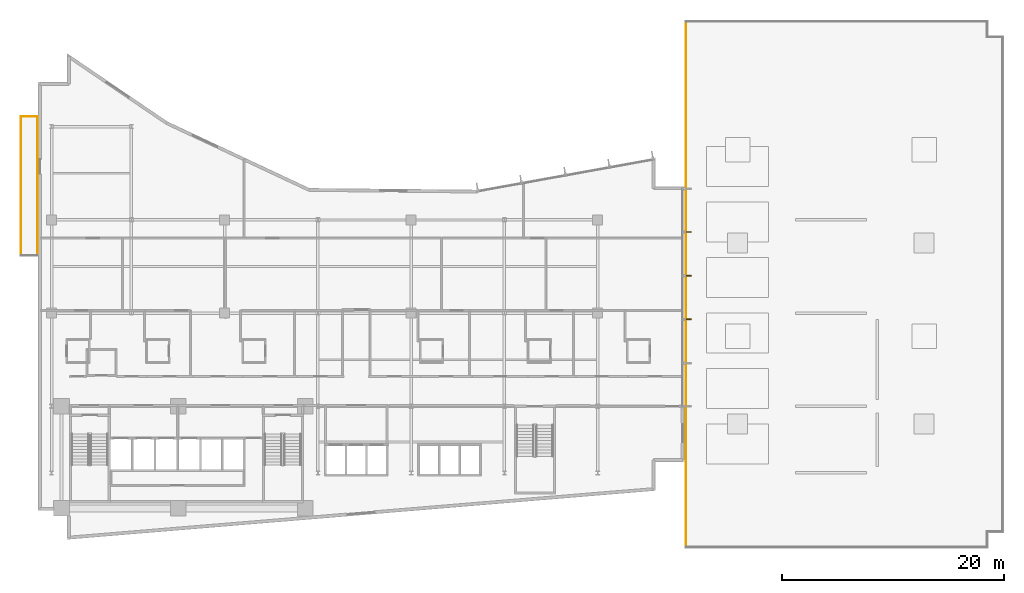
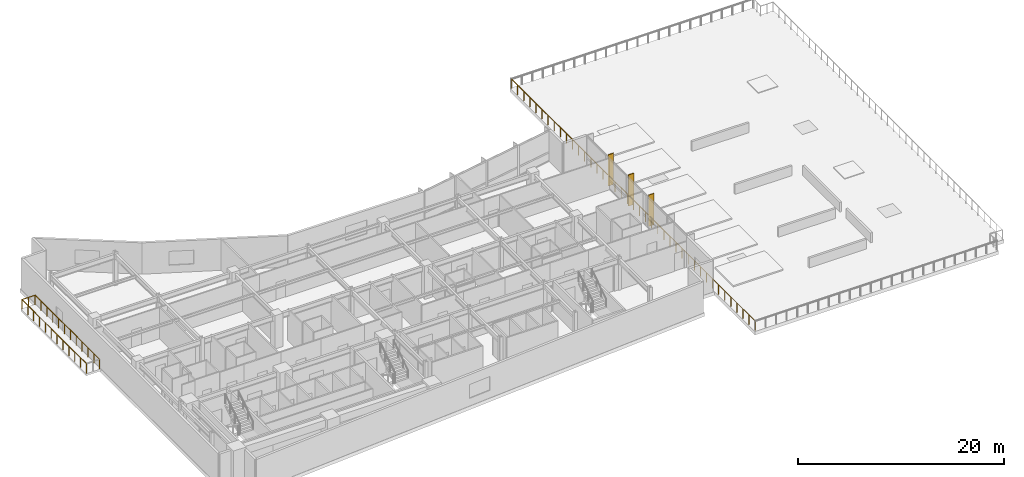
# One storey, part 18 of 20: 4 railings, 3 shading devices.
"""IFC4 building model written with IfcOpenShell, lengths in metres."""

from ifc_helpers import new_model, si_unit, direction, frame, origin, origin_2d, place, context, subcontext, project, spatial, rectangle, circle, extrude, material, layer, layer_set, type_object, element, save


model = new_model("IFC4")

# Units and contexts
model_context = context("Model", 3, precision=1e-05, world=origin(), true_north=direction((0.0, 1.0)))
body_context = subcontext(model_context, "Body", "Model", "MODEL_VIEW")
ifc_project = project(units=[si_unit("LENGTHUNIT", "METRE"), si_unit("AREAUNIT", "SQUARE_METRE"), si_unit("VOLUMEUNIT", "CUBIC_METRE"), si_unit("PLANEANGLEUNIT", "RADIAN"), si_unit("MASSUNIT", "GRAM", prefix="KILO")], contexts=[model_context])

# Site, building, storey
site_placement = place(None, origin())
site = spatial("IfcSite", under=ifc_project, at=site_placement, CompositionType="ELEMENT")
building_placement = place(site_placement, origin())
building = spatial("IfcBuilding", under=site, at=building_placement, Name="Varnakote Quay Hospital", CompositionType="ELEMENT")
storey_placement = place(building_placement, frame((0.0, 0.0, 22.5)))
storey = spatial("IfcBuildingStorey", under=building, at=storey_placement, Name="L05", CompositionType="ELEMENT", Elevation=22.5)

# Railings
ifc_material_1 = material(Name="Anodised aluminium 6063-T6 Bronze", Category="aluminium")
railing_type = type_object("IfcRailingType", Name="RLG-EXT-GUARD-1150", PredefinedType="GUARDRAIL", material=ifc_material_1)
railing_1_placement = place(storey_placement, frame((-1.56005859375, 25.580078125, 0.0)))
element("IfcRailing", 1, at=railing_1_placement, inside=storey, type_object=railing_type, Name="L05 Zigzag Prow Healing Terrace Safety Guard", PredefinedType="GUARDRAIL", context=body_context, shape_type="SweptSolid", body=[
    extrude(circle(Radius=0.02392578125, at=origin_2d()), frame((0.0, 0.0, 1.1259765625), z_axis=(0.0, 1.0, 0.0), x_axis=(-1.0, 0.0, 0.0)), (0.0, 0.0, 1.0), 12.5400390625),
    extrude(circle(Radius=0.02099609375, at=origin_2d()), origin(), (0.0, 0.0, 1.0), 1.101806640625),
    extrude(circle(Radius=0.02099609375, at=origin_2d()), frame((0.0, 1.139892578125, 0.0)), (0.0, 0.0, 1.0), 1.101806640625),
    extrude(circle(Radius=0.02099609375, at=origin_2d()), frame((0.0, 2.280029296875, 0.0)), (0.0, 0.0, 1.0), 1.101806640625),
    extrude(circle(Radius=0.02099609375, at=origin_2d()), frame((0.0, 3.419921875, 0.0)), (0.0, 0.0, 1.0), 1.101806640625),
    extrude(circle(Radius=0.02099609375, at=origin_2d()), frame((0.0, 4.56005859375, 0.0)), (0.0, 0.0, 1.0), 1.101806640625),
    extrude(circle(Radius=0.02099609375, at=origin_2d()), frame((0.0, 5.699951171875, 0.0)), (0.0, 0.0, 1.0), 1.101806640625),
    extrude(circle(Radius=0.02099609375, at=origin_2d()), frame((0.0, 6.840087890625, 0.0)), (0.0, 0.0, 1.0), 1.101806640625),
    extrude(circle(Radius=0.02099609375, at=origin_2d()), frame((0.0, 7.97998046875, 0.0)), (0.0, 0.0, 1.0), 1.101806640625),
    extrude(circle(Radius=0.02099609375, at=origin_2d()), frame((0.0, 9.1201171875, 0.0)), (0.0, 0.0, 1.0), 1.101806640625),
    extrude(circle(Radius=0.02099609375, at=origin_2d()), frame((0.0, 10.260009765625, 0.0)), (0.0, 0.0, 1.0), 1.101806640625),
    extrude(circle(Radius=0.02099609375, at=origin_2d()), frame((0.0, 11.400146484375, 0.0)), (0.0, 0.0, 1.0), 1.101806640625),
    extrude(circle(Radius=0.02099609375, at=origin_2d()), frame((0.0, 12.5400390625, 0.0)), (0.0, 0.0, 1.0), 1.101806640625),
])
railing_2_placement = place(storey_placement, frame((-1.56005859375, 38.1201171875, 0.0)))
element("IfcRailing", 2, at=railing_2_placement, inside=storey, type_object=railing_type, Name="L05 Zigzag Prow Healing Terrace Safety Guard", PredefinedType="GUARDRAIL", context=body_context, shape_type="SweptSolid", body=[
    extrude(circle(Radius=0.02392578125, at=origin_2d()), frame((0.0, 0.0, 1.1259765625), z_axis=(1.0, 0.0, 0.0), x_axis=(0.0, 1.0, 0.0)), (0.0, 0.0, 1.0), 1.484130859375),
    extrude(circle(Radius=0.02099609375, at=origin_2d()), origin(), (0.0, 0.0, 1.0), 1.101806640625),
    extrude(circle(Radius=0.02099609375, at=origin_2d()), frame((0.7421875, 0.0, 0.0)), (0.0, 0.0, 1.0), 1.101806640625),
    extrude(circle(Radius=0.02099609375, at=origin_2d()), frame((1.484130859375, 0.0, 0.0)), (0.0, 0.0, 1.0), 1.101806640625),
])
railing_3_placement = place(storey_placement, frame((-0.075927734375, 38.1201171875, 0.0)))
element("IfcRailing", 3, at=railing_3_placement, inside=storey, type_object=railing_type, Name="L05 Zigzag Prow Healing Terrace Safety Guard", PredefinedType="GUARDRAIL", context=body_context, shape_type="SweptSolid", body=[
    extrude(circle(Radius=0.02392578125, at=origin_2d()), frame((0.0, 0.0, 1.1259765625), z_axis=(0.0, -1.0, 0.0), x_axis=(1.0, 0.0, 0.0)), (0.0, 0.0, 1.0), 12.5400390625),
    extrude(circle(Radius=0.02099609375, at=origin_2d()), origin(), (0.0, 0.0, 1.0), 1.101806640625),
    extrude(circle(Radius=0.02099609375, at=origin_2d()), frame((0.0, -1.139892578125, 0.0)), (0.0, 0.0, 1.0), 1.101806640625),
    extrude(circle(Radius=0.02099609375, at=origin_2d()), frame((0.0, -2.280029296875, 0.0)), (0.0, 0.0, 1.0), 1.101806640625),
    extrude(circle(Radius=0.02099609375, at=origin_2d()), frame((0.0, -3.419921875, 0.0)), (0.0, 0.0, 1.0), 1.101806640625),
    extrude(circle(Radius=0.02099609375, at=origin_2d()), frame((0.0, -4.56005859375, 0.0)), (0.0, 0.0, 1.0), 1.101806640625),
    extrude(circle(Radius=0.02099609375, at=origin_2d()), frame((0.0, -5.699951171875, 0.0)), (0.0, 0.0, 1.0), 1.101806640625),
    extrude(circle(Radius=0.02099609375, at=origin_2d()), frame((0.0, -6.840087890625, 0.0)), (0.0, 0.0, 1.0), 1.101806640625),
    extrude(circle(Radius=0.02099609375, at=origin_2d()), frame((0.0, -7.97998046875, 0.0)), (0.0, 0.0, 1.0), 1.101806640625),
    extrude(circle(Radius=0.02099609375, at=origin_2d()), frame((0.0, -9.1201171875, 0.0)), (0.0, 0.0, 1.0), 1.101806640625),
    extrude(circle(Radius=0.02099609375, at=origin_2d()), frame((0.0, -10.260009765625, 0.0)), (0.0, 0.0, 1.0), 1.101806640625),
    extrude(circle(Radius=0.02099609375, at=origin_2d()), frame((0.0, -11.400146484375, 0.0)), (0.0, 0.0, 1.0), 1.101806640625),
    extrude(circle(Radius=0.02099609375, at=origin_2d()), frame((0.0, -12.5400390625, 0.0)), (0.0, 0.0, 1.0), 1.101806640625),
])
railing_4_placement = place(storey_placement, frame((58.340087890625, -0.679931640625, 0.0)))
element("IfcRailing", 4, at=railing_4_placement, inside=storey, type_object=railing_type, Name="L05 East Podium Setback Roof Perimeter Safety Guard", PredefinedType="GUARDRAIL", context=body_context, shape_type="SweptSolid", body=[
    extrude(circle(Radius=0.02392578125, at=origin_2d()), frame((0.0, 0.0, 1.1259765625), z_axis=(0.0, 1.0, 0.0), x_axis=(-1.0, 0.0, 0.0)), (0.0, 0.0, 1.0), 47.35986328125),
    extrude(circle(Radius=0.02099609375, at=origin_2d()), origin(), (0.0, 0.0, 1.0), 1.101806640625),
    extrude(circle(Radius=0.02099609375, at=origin_2d()), frame((0.0, 1.18408203125, 0.0)), (0.0, 0.0, 1.0), 1.101806640625),
    extrude(circle(Radius=0.02099609375, at=origin_2d()), frame((0.0, 2.367919921875, 0.0)), (0.0, 0.0, 1.0), 1.101806640625),
    extrude(circle(Radius=0.02099609375, at=origin_2d()), frame((0.0, 3.552001953125, 0.0)), (0.0, 0.0, 1.0), 1.101806640625),
    extrude(circle(Radius=0.02099609375, at=origin_2d()), frame((0.0, 4.736083984375, 0.0)), (0.0, 0.0, 1.0), 1.101806640625),
    extrude(circle(Radius=0.02099609375, at=origin_2d()), frame((0.0, 5.919921875, 0.0)), (0.0, 0.0, 1.0), 1.101806640625),
    extrude(circle(Radius=0.02099609375, at=origin_2d()), frame((0.0, 7.10400390625, 0.0)), (0.0, 0.0, 1.0), 1.101806640625),
    extrude(circle(Radius=0.02099609375, at=origin_2d()), frame((0.0, 8.2880859375, 0.0)), (0.0, 0.0, 1.0), 1.101806640625),
    extrude(circle(Radius=0.02099609375, at=origin_2d()), frame((0.0, 9.471923828125, 0.0)), (0.0, 0.0, 1.0), 1.101806640625),
    extrude(circle(Radius=0.02099609375, at=origin_2d()), frame((0.0, 10.656005859375, 0.0)), (0.0, 0.0, 1.0), 1.101806640625),
    extrude(circle(Radius=0.02099609375, at=origin_2d()), frame((0.0, 11.83984375, 0.0)), (0.0, 0.0, 1.0), 1.101806640625),
    extrude(circle(Radius=0.02099609375, at=origin_2d()), frame((0.0, 13.02392578125, 0.0)), (0.0, 0.0, 1.0), 1.101806640625),
    extrude(circle(Radius=0.02099609375, at=origin_2d()), frame((0.0, 14.2080078125, 0.0)), (0.0, 0.0, 1.0), 1.101806640625),
    extrude(circle(Radius=0.02099609375, at=origin_2d()), frame((0.0, 15.391845703125, 0.0)), (0.0, 0.0, 1.0), 1.101806640625),
    extrude(circle(Radius=0.02099609375, at=origin_2d()), frame((0.0, 16.575927734375, 0.0)), (0.0, 0.0, 1.0), 1.101806640625),
    extrude(circle(Radius=0.02099609375, at=origin_2d()), frame((0.0, 17.760009765625, 0.0)), (0.0, 0.0, 1.0), 1.101806640625),
    extrude(circle(Radius=0.02099609375, at=origin_2d()), frame((0.0, 18.94384765625, 0.0)), (0.0, 0.0, 1.0), 1.101806640625),
    extrude(circle(Radius=0.02099609375, at=origin_2d()), frame((0.0, 20.1279296875, 0.0)), (0.0, 0.0, 1.0), 1.101806640625),
    extrude(circle(Radius=0.02099609375, at=origin_2d()), frame((0.0, 21.31201171875, 0.0)), (0.0, 0.0, 1.0), 1.101806640625),
    extrude(circle(Radius=0.02099609375, at=origin_2d()), frame((0.0, 22.495849609375, 0.0)), (0.0, 0.0, 1.0), 1.101806640625),
    extrude(circle(Radius=0.02099609375, at=origin_2d()), frame((0.0, 23.679931640625, 0.0)), (0.0, 0.0, 1.0), 1.101806640625),
    extrude(circle(Radius=0.02099609375, at=origin_2d()), frame((0.0, 24.864013671875, 0.0)), (0.0, 0.0, 1.0), 1.101806640625),
    extrude(circle(Radius=0.02099609375, at=origin_2d()), frame((0.0, 26.0478515625, 0.0)), (0.0, 0.0, 1.0), 1.101806640625),
    extrude(circle(Radius=0.02099609375, at=origin_2d()), frame((0.0, 27.23193359375, 0.0)), (0.0, 0.0, 1.0), 1.101806640625),
    extrude(circle(Radius=0.02099609375, at=origin_2d()), frame((0.0, 28.416015625, 0.0)), (0.0, 0.0, 1.0), 1.101806640625),
    extrude(circle(Radius=0.02099609375, at=origin_2d()), frame((0.0, 29.599853515625, 0.0)), (0.0, 0.0, 1.0), 1.101806640625),
    extrude(circle(Radius=0.02099609375, at=origin_2d()), frame((0.0, 30.783935546875, 0.0)), (0.0, 0.0, 1.0), 1.101806640625),
    extrude(circle(Radius=0.02099609375, at=origin_2d()), frame((0.0, 31.968017578125, 0.0)), (0.0, 0.0, 1.0), 1.101806640625),
    extrude(circle(Radius=0.02099609375, at=origin_2d()), frame((0.0, 33.15185546875, 0.0)), (0.0, 0.0, 1.0), 1.101806640625),
    extrude(circle(Radius=0.02099609375, at=origin_2d()), frame((0.0, 34.3359375, 0.0)), (0.0, 0.0, 1.0), 1.101806640625),
    extrude(circle(Radius=0.02099609375, at=origin_2d()), frame((0.0, 35.52001953125, 0.0)), (0.0, 0.0, 1.0), 1.101806640625),
    extrude(circle(Radius=0.02099609375, at=origin_2d()), frame((0.0, 36.703857421875, 0.0)), (0.0, 0.0, 1.0), 1.101806640625),
    extrude(circle(Radius=0.02099609375, at=origin_2d()), frame((0.0, 37.887939453125, 0.0)), (0.0, 0.0, 1.0), 1.101806640625),
    extrude(circle(Radius=0.02099609375, at=origin_2d()), frame((0.0, 39.07177734375, 0.0)), (0.0, 0.0, 1.0), 1.101806640625),
    extrude(circle(Radius=0.02099609375, at=origin_2d()), frame((0.0, 40.255859375, 0.0)), (0.0, 0.0, 1.0), 1.101806640625),
    extrude(circle(Radius=0.02099609375, at=origin_2d()), frame((0.0, 41.43994140625, 0.0)), (0.0, 0.0, 1.0), 1.101806640625),
    extrude(circle(Radius=0.02099609375, at=origin_2d()), frame((0.0, 42.623779296875, 0.0)), (0.0, 0.0, 1.0), 1.101806640625),
    extrude(circle(Radius=0.02099609375, at=origin_2d()), frame((0.0, 43.807861328125, 0.0)), (0.0, 0.0, 1.0), 1.101806640625),
    extrude(circle(Radius=0.02099609375, at=origin_2d()), frame((0.0, 44.991943359375, 0.0)), (0.0, 0.0, 1.0), 1.101806640625),
    extrude(circle(Radius=0.02099609375, at=origin_2d()), frame((0.0, 46.17578125, 0.0)), (0.0, 0.0, 1.0), 1.101806640625),
    extrude(circle(Radius=0.02099609375, at=origin_2d()), frame((0.0, 47.35986328125, 0.0)), (0.0, 0.0, 1.0), 1.101806640625),
])

# Shading devices
ifc_material_2 = material(Name="Anodised aluminium 6063-T6 Bronze", Category="aluminium")
ifc_layer = layer(ifc_material_2, 0.0849609375)
ifc_layer_set = layer_set([ifc_layer], Name="Anodised aluminium 6063-T6 Bronze")
shading_device_type = type_object("IfcShadingDeviceType", Name="SHD-BRONZE-FIN-620", PredefinedType="USERDEFINED", material=ifc_layer_set)
for number, where, z_axis, x_axis, name in (
    (5, (58.510009765625, 19.825927734375, 0.0), (0.0, 0.0, 1.0), (-1.0, 0.0, 0.0), "L05 Anodised Bronze Vertical Shading FIN"),
    (6, (58.510009765625, 23.763916015625, 0.0), (0.0, 0.0, 1.0), (-1.0, 0.0, 0.0), "L05 Anodised Bronze Vertical Shading FIN"),
    (7, (58.510009765625, 27.701904296875, 0.0), (0.0, 0.0, 1.0), (-1.0, 0.0, 0.0), "L05 Anodised Bronze Vertical Shading FIN"),
):
    element("IfcShadingDevice", number, at=place(storey_placement, frame(where, z_axis=z_axis, x_axis=x_axis)), inside=storey, type_object=shading_device_type, Name=name, ObjectType="FIN", PredefinedType="USERDEFINED", context=body_context, shape_type="SweptSolid", body=[
        extrude(rectangle(XDim=0.6201171875, YDim=0.0849609375, at=origin_2d()), origin(), (0.0, 0.0, 1.0), 3.7099609375),
    ])

save(model, "model.ifc")
